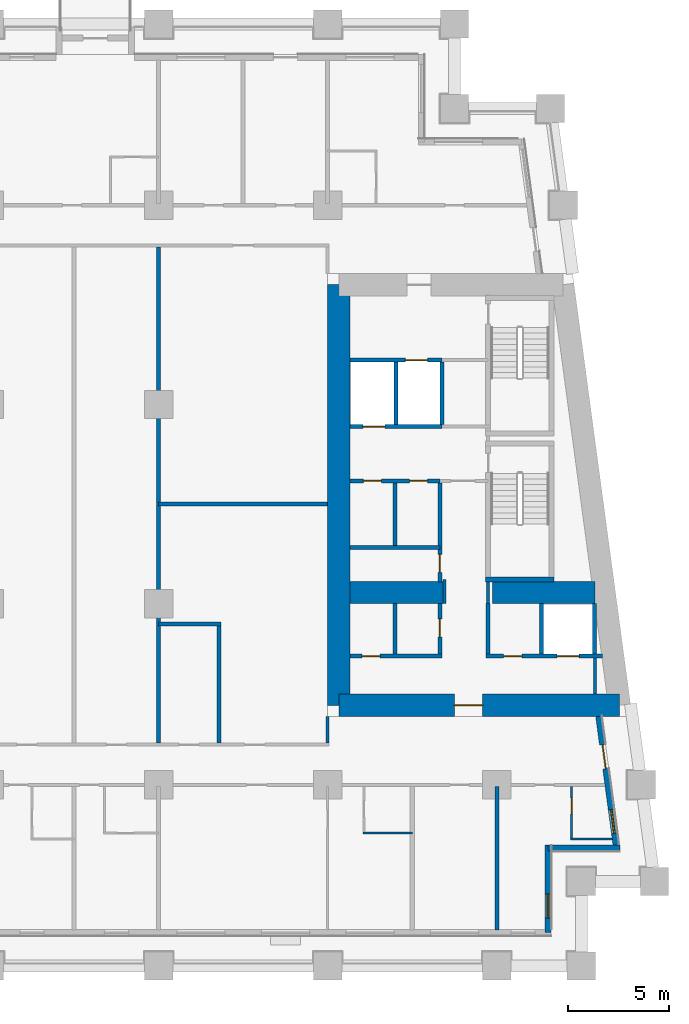
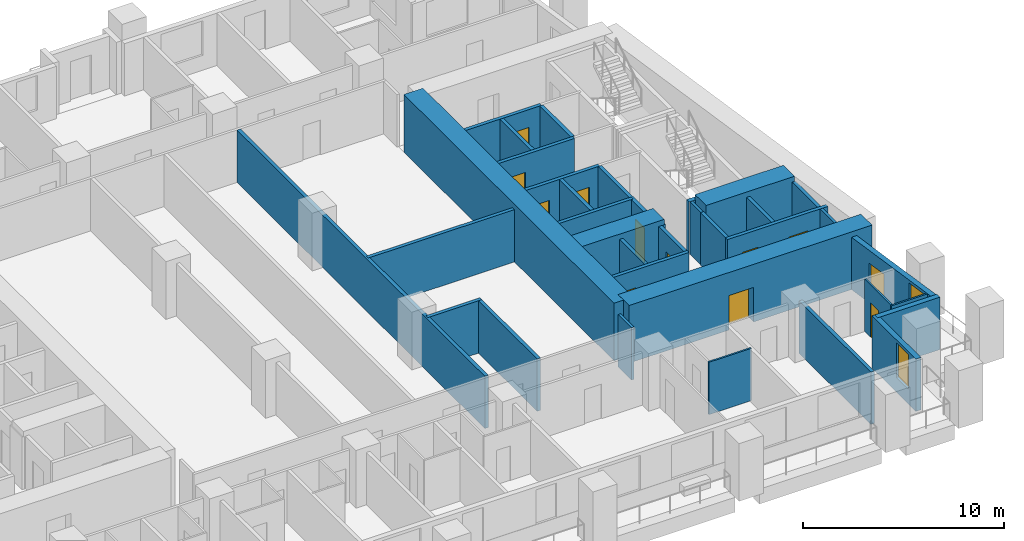
# One storey, part 5 of 13: 35 walls, 12 doors, 2 windows, 14 openings.
"""IFC4 building model written with IfcOpenShell, lengths in metres."""

from ifc_helpers import new_model, si_unit, direction, frame, frame_2d, origin, place, context, subcontext, project, spatial, rectangle, extrude, material, layer, layer_set, type_object, element, fill, save


model = new_model("IFC4")

# Units and contexts
model_context = context("Model", 3, precision=1e-05, world=origin(), true_north=direction((0.0, 1.0)))
body_context = subcontext(model_context, "Body", "Model", "MODEL_VIEW")
ifc_project = project(units=[si_unit("LENGTHUNIT", "METRE"), si_unit("AREAUNIT", "SQUARE_METRE"), si_unit("VOLUMEUNIT", "CUBIC_METRE"), si_unit("PLANEANGLEUNIT", "RADIAN"), si_unit("MASSUNIT", "GRAM", prefix="KILO")], contexts=[model_context])

# Site, building, storey
site_placement = place(None, origin())
site = spatial("IfcSite", under=ifc_project, at=site_placement, CompositionType="ELEMENT")
building_placement = place(site_placement, origin())
building = spatial("IfcBuilding", under=site, at=building_placement, Name="Candeia Pilgrim Tower and Theatre", CompositionType="ELEMENT")
storey_placement = place(building_placement, frame((0.0, 0.0, 70.5)))
storey = spatial("IfcBuildingStorey", under=building, at=storey_placement, Name="L15", CompositionType="ELEMENT", Elevation=70.5)

# Wall, opening, door
ifc_material_1 = material(Name="Concrete C80/95", Category="concrete")
ifc_layer_1 = layer(ifc_material_1, 1.10009765625)
ifc_layer_set_1 = layer_set([ifc_layer_1], Name="Core wall 1100 C80/95")
wall_type_1 = type_object("IfcWallType", Name="Core wall 1100 C80/95", PredefinedType="SHEAR", material=ifc_layer_set_1)
wall_1_placement = place(storey_placement, frame((140.501708984375, 110.949951171875, 0.0), z_axis=(0.0, 0.0, 1.0), x_axis=(-1.0, 0.0, 0.0)))
wall_1 = element("IfcWall", 1, at=wall_1_placement, inside=storey, type_object=wall_type_1, Name="Core wall E3", PredefinedType="SHEAR", context=body_context, shape_type="SweptSolid", body=[
    extrude(rectangle(XDim=13.95166015625, YDim=1.10009765625, at=frame_2d((6.975830078125, 0.0))), origin(), (0.0, 0.0, 1.0), 3.5),
])
opening_1_placement = place(wall_1_placement, frame((6.80419921875, 0.0, 0.0)))
opening_1 = element("IfcOpeningElement", 2, at=opening_1_placement, cuts=wall_1, Name="Opening L15-D056", PredefinedType="OPENING", context=body_context, shape_type="SweptSolid", body=[
    extrude(rectangle(XDim=1.39990234375, YDim=2.10009765625, at=frame_2d((0.699951171875, 1.050048828125))), frame((0.0, 0.56005859375, 0.0), z_axis=(0.0, -1.0, 0.0), x_axis=(1.0, 0.0, 0.0)), (0.0, 0.0, 1.0), 1.1201171875),
])
ifc_material_2 = material(Name="Steel fire door set", Category="steel")
door_type_1 = type_object("IfcDoorType", Name="D-1400-FD60", OperationType="NOTDEFINED", PredefinedType="DOOR", material=ifc_material_2)
door_1_placement = place(opening_1_placement, origin())
door_1 = element("IfcDoor", 3, at=door_1_placement, inside=storey, type_object=door_type_1, Name="Door L15-D056", OperationType="SINGLE_SWING_LEFT", OverallHeight=2.10009765625, OverallWidth=1.39990234375, PredefinedType="DOOR", context=body_context, shape_type="SweptSolid", body=[
    extrude(rectangle(XDim=1.39990234375, YDim=2.10009765625, at=frame_2d((0.699951171875, 1.050048828125))), frame((0.0, 0.02490234375, 0.0), z_axis=(0.0, -1.0, 0.0), x_axis=(1.0, 0.0, 0.0)), (0.0, 0.0, 1.0), 0.050048828125),
])
fill(opening_1, door_1)

# Walls
wall_2_placement = place(storey_placement, frame((126.550048828125, 110.949951171875, 0.0), z_axis=(0.0, 0.0, 1.0), x_axis=(0.0, 1.0, 0.0)))
element("IfcWall", 4, at=wall_2_placement, inside=storey, type_object=wall_type_1, Name="Core wall E4", PredefinedType="SHEAR", context=body_context, shape_type="SweptSolid", body=[
    extrude(rectangle(XDim=20.900146484375, YDim=1.10009765625, at=frame_2d((10.4501953125, 0.0))), origin(), (0.0, 0.0, 1.0), 3.5),
])
wall_3_placement = place(storey_placement, frame((127.10009765625, 116.550048828125, 0.0), z_axis=(0.0, 0.0, 1.0), x_axis=(1.0, 0.0, 0.0)))
element("IfcWall", 5, at=wall_3_placement, inside=storey, type_object=wall_type_1, Name="Core wall E5", PredefinedType="SHEAR", context=body_context, shape_type="SweptSolid", body=[
    extrude(rectangle(XDim=4.699951171875, YDim=1.10009765625, at=frame_2d((2.35009765625, 0.0))), origin(), (0.0, 0.0, 1.0), 3.5),
])
wall_4_placement = place(storey_placement, frame((134.199951171875, 116.550048828125, 0.0), z_axis=(0.0, 0.0, 1.0), x_axis=(1.0, 0.0, 0.0)))
element("IfcWall", 6, at=wall_4_placement, inside=storey, type_object=wall_type_1, Name="Core wall E6", PredefinedType="SHEAR", context=body_context, shape_type="SweptSolid", body=[
    extrude(rectangle(XDim=5.076904296875, YDim=1.10009765625, at=frame_2d((2.53857421875, 0.0))), origin(), (0.0, 0.0, 1.0), 3.5),
])

# Wall, opening, window
ifc_material_3 = material(Name="Ceramic block masonry", Category="masonry")
ifc_layer_2 = layer(ifc_material_3, 0.300048828125)
ifc_layer_set_2 = layer_set([ifc_layer_2], Name="EW1 glazing-line wall 300")
wall_type_2 = type_object("IfcWallType", Name="EW1 glazing-line wall 300", PredefinedType="SOLIDWALL", material=ifc_layer_set_2)
wall_5_placement = place(storey_placement, frame((136.949951171875, 99.64990234375, 0.0), z_axis=(0.0, 0.0, 1.0), x_axis=(0.0, 1.0, 0.0)))
wall_5 = element("IfcWall", 7, at=wall_5_placement, inside=storey, type_object=wall_type_2, Name="External wall L15-1.0", PredefinedType="SOLIDWALL", context=body_context, shape_type="SweptSolid", body=[
    extrude(rectangle(XDim=4.35009765625, YDim=0.300048828125, at=frame_2d((2.175048828125, 0.0))), origin(), (0.0, 0.0, 1.0), 3.179931640625),
])
opening_2_placement = place(wall_5_placement, frame((0.72509765625, 0.0, 0.89990234375)))
opening_2 = element("IfcOpeningElement", 8, at=opening_2_placement, cuts=wall_5, Name="Opening W-B", PredefinedType="OPENING", context=body_context, shape_type="SweptSolid", body=[
    extrude(rectangle(XDim=1.199951171875, YDim=2.10009765625, at=frame_2d((0.60009765625, 1.050048828125))), frame((0.0, 0.16015625, 0.0), z_axis=(0.0, -1.0, 0.0), x_axis=(1.0, 0.0, 0.0)), (0.0, 0.0, 1.0), 0.320068359375),
])
ifc_material_4 = material(Name="Aluminium framed double glazing", Category="aluminium")
window_type = type_object("IfcWindowType", Name="W-B window 1200x2100", PartitioningType="SINGLE_PANEL", PredefinedType="WINDOW", material=ifc_material_4)
window_1_placement = place(opening_2_placement, origin())
window_1 = element("IfcWindow", 9, at=window_1_placement, inside=storey, type_object=window_type, Name="Window W-B L15", OverallHeight=2.10009765625, OverallWidth=1.199951171875, PartitioningType="SINGLE_PANEL", PredefinedType="WINDOW", context=body_context, shape_type="SweptSolid", body=[
    extrude(rectangle(XDim=1.199951171875, YDim=2.10009765625, at=frame_2d((0.60009765625, 1.050048828125))), frame((0.0, 0.030029296875, 0.0), z_axis=(0.0, -1.0, 0.0), x_axis=(1.0, 0.0, 0.0)), (0.0, 0.0, 1.0), 0.06005859375),
])
fill(opening_2, window_1)

# Wall
wall_6_placement = place(storey_placement, frame((136.949951171875, 103.85009765625, 0.0), z_axis=(0.0, 0.0, 1.0), x_axis=(1.0, 0.0, 0.0)))
element("IfcWall", 10, at=wall_6_placement, inside=storey, type_object=wall_type_2, Name="External wall L15-2.0", PredefinedType="SOLIDWALL", context=body_context, shape_type="SweptSolid", body=[
    extrude(rectangle(XDim=3.569091796875, YDim=0.300048828125, at=frame_2d((1.78466796875, 0.0))), origin(), (0.0, 0.0, 1.0), 3.179931640625),
])

# Wall, openings, door, window
wall_7_placement = place(storey_placement, frame((140.34765625, 103.85009765625, 0.0), z_axis=(0.0, 0.0, 1.0), x_axis=(-0.133431549479, 0.991058031401, 0.0)))
wall_7 = element("IfcWall", 11, at=wall_7_placement, inside=storey, type_object=wall_type_2, Name="External wall L15-3.0", PredefinedType="SOLIDWALL", context=body_context, shape_type="SweptSolid", body=[
    extrude(rectangle(XDim=6.60888671875, YDim=0.300048828125, at=frame_2d((3.304443359375, 0.0))), origin(), (0.0, 0.0, 1.0), 3.179931640625),
])
opening_3_placement = place(wall_7_placement, frame((0.736572265625, 0.0, 0.89990234375)))
opening_3 = element("IfcOpeningElement", 12, at=opening_3_placement, cuts=wall_7, Name="Opening W-B", PredefinedType="OPENING", context=body_context, shape_type="SweptSolid", body=[
    extrude(rectangle(XDim=1.199951171875, YDim=2.10009765625, at=frame_2d((0.60009765625, 1.050048828125))), frame((0.0, 0.16015625, 0.0), z_axis=(0.0, -1.0, 0.0), x_axis=(1.0, 0.0, 0.0)), (0.0, 0.0, 1.0), 0.320068359375),
])
opening_4_placement = place(wall_7_placement, frame((3.990966796875, 0.0, 0.0)))
opening_4 = element("IfcOpeningElement", 13, at=opening_4_placement, cuts=wall_7, Name="Opening L15-ED167", PredefinedType="OPENING", context=body_context, shape_type="SweptSolid", body=[
    extrude(rectangle(XDim=1.199951171875, YDim=2.39990234375, at=frame_2d((0.60009765625, 1.199951171875))), frame((0.0, 0.16015625, 0.0), z_axis=(0.0, -1.0, 0.0), x_axis=(1.0, 0.0, 0.0)), (0.0, 0.0, 1.0), 0.320068359375),
])
ifc_material_5 = material(Name="Aluminium framed glazed door", Category="aluminium")
door_type_2 = type_object("IfcDoorType", Name="Loggia door 1200x2400", OperationType="DOUBLE_DOOR_SINGLE_SWING", PredefinedType="DOOR", material=ifc_material_5)
door_2_placement = place(opening_4_placement, origin())
door_2 = element("IfcDoor", 14, at=door_2_placement, inside=storey, type_object=door_type_2, Name="Loggia door L15-ED167", OperationType="DOUBLE_DOOR_SINGLE_SWING", OverallHeight=2.39990234375, OverallWidth=1.199951171875, PredefinedType="DOOR", context=body_context, shape_type="SweptSolid", body=[
    extrude(rectangle(XDim=1.199951171875, YDim=2.39990234375, at=frame_2d((0.60009765625, 1.199951171875))), frame((0.0, 0.02490234375, 0.0), z_axis=(0.0, -1.0, 0.0), x_axis=(1.0, 0.0, 0.0)), (0.0, 0.0, 1.0), 0.050048828125),
])
fill(opening_4, door_2)
window_2_placement = place(opening_3_placement, origin())
window_2 = element("IfcWindow", 15, at=window_2_placement, inside=storey, type_object=window_type, Name="Window W-B L15", OverallHeight=2.10009765625, OverallWidth=1.199951171875, PartitioningType="SINGLE_PANEL", PredefinedType="WINDOW", context=body_context, shape_type="SweptSolid", body=[
    extrude(rectangle(XDim=1.199951171875, YDim=2.10009765625, at=frame_2d((0.60009765625, 1.050048828125))), frame((0.0, 0.030029296875, 0.0), z_axis=(0.0, -1.0, 0.0), x_axis=(1.0, 0.0, 0.0)), (0.0, 0.0, 1.0), 0.06005859375),
])
fill(opening_3, window_2)

# Walls
ifc_material_6 = material(Name="Gypsum board partition on steel studs", Category="steel")
ifc_layer_3 = layer(ifc_material_6, 0.10009765625)
ifc_layer_set_3 = layer_set([ifc_layer_3], Name="PW-100 room partition")
wall_type_3 = type_object("IfcWallType", Name="PW-100 room partition", PredefinedType="PARTITIONING", material=ifc_layer_set_3)
wall_8_placement = place(storey_placement, frame((138.070068359375, 104.300048828125, 0.0), z_axis=(0.0, 0.0, 1.0), x_axis=(1.0, 0.0, 0.0)))
element("IfcWall", 16, at=wall_8_placement, inside=storey, type_object=wall_type_3, Name="Room partition L15-003", PredefinedType="PARTITIONING", context=body_context, shape_type="SweptSolid", body=[
    extrude(rectangle(XDim=2.07568359375, YDim=0.10009765625, at=frame_2d((1.037841796875, 0.0))), origin(), (0.0, 0.0, 1.0), 3.179931640625),
])
wall_9_placement = place(storey_placement, frame((127.75, 104.60009765625, 0.0), z_axis=(0.0, 0.0, 1.0), x_axis=(1.0, 0.0, 0.0)))
element("IfcWall", 17, at=wall_9_placement, inside=storey, type_object=wall_type_3, Name="Room partition L15-006", PredefinedType="PARTITIONING", context=body_context, shape_type="SweptSolid", body=[
    extrude(rectangle(XDim=2.449951171875, YDim=0.10009765625, at=frame_2d((1.22509765625, 0.0))), origin(), (0.0, 0.0, 1.0), 3.179931640625),
])

# Wall, opening, door
wall_10_placement = place(storey_placement, frame((138.1201171875, 104.35009765625, 0.0), z_axis=(0.0, 0.0, 1.0), x_axis=(0.0, 1.0, 0.0)))
wall_10 = element("IfcWall", 18, at=wall_10_placement, inside=storey, type_object=wall_type_3, Name="Room partition L15-111", PredefinedType="PARTITIONING", context=body_context, shape_type="SweptSolid", body=[
    extrude(rectangle(XDim=2.574951171875, YDim=0.10009765625, at=frame_2d((1.28759765625, 0.0))), origin(), (0.0, 0.0, 1.0), 3.179931640625),
])
opening_5_placement = place(wall_10_placement, frame((1.199951171875, 0.0, 0.0)))
opening_5 = element("IfcOpeningElement", 19, at=opening_5_placement, cuts=wall_10, Name="Opening L15-D036", PredefinedType="OPENING", context=body_context, shape_type="SweptSolid", body=[
    extrude(rectangle(XDim=0.800048828125, YDim=2.10009765625, at=frame_2d((0.39990234375, 1.050048828125))), frame((0.0, 0.06005859375, 0.0), z_axis=(0.0, -1.0, 0.0), x_axis=(1.0, 0.0, 0.0)), (0.0, 0.0, 1.0), 0.1201171875),
])
ifc_material_7 = material(Name="Timber door leaf", Category="wood")
door_type_3 = type_object("IfcDoorType", Name="D-800", OperationType="NOTDEFINED", PredefinedType="DOOR", material=ifc_material_7)
door_3_placement = place(opening_5_placement, origin())
door_3 = element("IfcDoor", 20, at=door_3_placement, inside=storey, type_object=door_type_3, Name="Door L15-D036", OperationType="SINGLE_SWING_LEFT", OverallHeight=2.10009765625, OverallWidth=0.800048828125, PredefinedType="DOOR", context=body_context, shape_type="SweptSolid", body=[
    extrude(rectangle(XDim=0.800048828125, YDim=2.10009765625, at=frame_2d((0.39990234375, 1.050048828125))), frame((0.0, 0.02490234375, 0.0), z_axis=(0.0, -1.0, 0.0), x_axis=(1.0, 0.0, 0.0)), (0.0, 0.0, 1.0), 0.050048828125),
])
fill(opening_5, door_3)

# Walls
ifc_layer_4 = layer(ifc_material_6, 0.14990234375)
ifc_layer_set_4 = layer_set([ifc_layer_4], Name="PW-150 lobby wall")
wall_type_4 = type_object("IfcWallType", Name="PW-150 lobby wall", PredefinedType="PARTITIONING", material=ifc_layer_set_4)
wall_11_placement = place(storey_placement, frame((131.800048828125, 116.0, 0.0), z_axis=(0.0, 0.0, 1.0), x_axis=(0.0, 1.0, 0.0)))
element("IfcWall", 21, at=wall_11_placement, inside=storey, type_object=wall_type_4, Name="Lobby wall L15-101", PredefinedType="PARTITIONING", context=body_context, shape_type="SweptSolid", body=[
    extrude(rectangle(XDim=1.199951171875, YDim=0.14990234375, at=frame_2d((0.60009765625, 0.0))), origin(), (0.0, 0.0, 1.0), 3.179931640625),
])
wall_12_placement = place(storey_placement, frame((133.972900390625, 116.0, 0.0), z_axis=(0.0, 0.0, 1.0), x_axis=(0.0, 1.0, 0.0)))
element("IfcWall", 22, at=wall_12_placement, inside=storey, type_object=wall_type_4, Name="Lobby wall L15-103", PredefinedType="PARTITIONING", context=body_context, shape_type="SweptSolid", body=[
    extrude(rectangle(XDim=1.070068359375, YDim=0.14990234375, at=frame_2d((0.53515625, 0.0))), origin(), (0.0, 0.0, 1.0), 3.179931640625),
])
wall_13_placement = place(storey_placement, frame((139.27001953125, 111.5, 0.0), z_axis=(0.0, 0.0, 1.0), x_axis=(0.0, 1.0, 0.0)))
element("IfcWall", 23, at=wall_13_placement, inside=storey, type_object=wall_type_4, Name="Lobby wall L15-113", PredefinedType="PARTITIONING", context=body_context, shape_type="SweptSolid", body=[
    extrude(rectangle(XDim=1.800048828125, YDim=0.14990234375, at=frame_2d((0.89990234375, 0.0))), origin(), (0.0, 0.0, 1.0), 3.179931640625),
])
ifc_layer_5 = layer(ifc_material_6, 0.14990234375)
ifc_layer_set_5 = layer_set([ifc_layer_5], Name="PW-150 unit wall")
wall_type_5 = type_object("IfcWallType", Name="PW-150 unit wall", PredefinedType="PARTITIONING", material=ifc_layer_set_5)
wall_14_placement = place(storey_placement, frame((126.0, 109.074951171875, 0.0), z_axis=(0.0, 0.0, 1.0), x_axis=(0.0, 1.0, 0.0)))
element("IfcWall", 24, at=wall_14_placement, inside=storey, type_object=wall_type_5, Name="Unit wall L15-090", PredefinedType="PARTITIONING", context=body_context, shape_type="SweptSolid", body=[
    extrude(rectangle(XDim=1.324951171875, YDim=0.14990234375, at=frame_2d((0.66259765625, 0.0))), origin(), (0.0, 0.0, 1.0), 3.179931640625),
])
ifc_layer_6 = layer(ifc_material_6, 0.199951171875)
ifc_layer_set_6 = layer_set([ifc_layer_6], Name="PW-200 party wall")
wall_type_6 = type_object("IfcWallType", Name="PW-200 party wall", PredefinedType="PARTITIONING", material=ifc_layer_set_6)
wall_15_placement = place(storey_placement, frame((117.60009765625, 115.0, 0.0), z_axis=(0.0, 0.0, 1.0), x_axis=(1.0, 0.0, 0.0)))
element("IfcWall", 25, at=wall_15_placement, inside=storey, type_object=wall_type_6, Name="Party wall L15-015", PredefinedType="PARTITIONING", context=body_context, shape_type="SweptSolid", body=[
    extrude(rectangle(XDim=3.099853515625, YDim=0.199951171875, at=frame_2d((1.5498046875, 0.0))), origin(), (0.0, 0.0, 1.0), 3.179931640625),
])
wall_16_placement = place(storey_placement, frame((117.60009765625, 120.949951171875, 0.0), z_axis=(0.0, 0.0, 1.0), x_axis=(1.0, 0.0, 0.0)))
element("IfcWall", 26, at=wall_16_placement, inside=storey, type_object=wall_type_6, Name="Party wall L15-020", PredefinedType="PARTITIONING", context=body_context, shape_type="SweptSolid", body=[
    extrude(rectangle(XDim=8.39990234375, YDim=0.199951171875, at=frame_2d((4.199951171875, 0.0))), origin(), (0.0, 0.0, 1.0), 3.179931640625),
])
wall_17_placement = place(storey_placement, frame((117.60009765625, 109.074951171875, 0.0), z_axis=(0.0, 0.0, 1.0), x_axis=(0.0, 1.0, 0.0)))
element("IfcWall", 27, at=wall_17_placement, inside=storey, type_object=wall_type_6, Name="Party wall L15-084", PredefinedType="PARTITIONING", context=body_context, shape_type="SweptSolid", body=[
    extrude(rectangle(XDim=24.650146484375, YDim=0.199951171875, at=frame_2d((12.3251953125, 0.0))), origin(), (0.0, 0.0, 1.0), 3.179931640625),
])
wall_18_placement = place(storey_placement, frame((120.60009765625, 109.074951171875, 0.0), z_axis=(0.0, 0.0, 1.0), x_axis=(0.0, 1.0, 0.0)))
element("IfcWall", 28, at=wall_18_placement, inside=storey, type_object=wall_type_6, Name="Party wall L15-086", PredefinedType="PARTITIONING", context=body_context, shape_type="SweptSolid", body=[
    extrude(rectangle(XDim=5.824951171875, YDim=0.199951171875, at=frame_2d((2.91259765625, 0.0))), origin(), (0.0, 0.0, 1.0), 3.179931640625),
])
wall_19_placement = place(storey_placement, frame((134.39990234375, 99.7900390625, 0.0), z_axis=(0.0, 0.0, 1.0), x_axis=(0.0, 1.0, 0.0)))
element("IfcWall", 29, at=wall_19_placement, inside=storey, type_object=wall_type_6, Name="Party wall L15-107", PredefinedType="PARTITIONING", context=body_context, shape_type="SweptSolid", body=[
    extrude(rectangle(XDim=7.135009765625, YDim=0.199951171875, at=frame_2d((3.5673828125, 0.0))), origin(), (0.0, 0.0, 1.0), 3.179931640625),
])

# Wall, opening, door
ifc_material_8 = material(Name="Concrete C40/50", Category="concrete")
ifc_layer_7 = layer(ifc_material_8, 0.199951171875)
ifc_layer_set_7 = layer_set([ifc_layer_7], Name="SW-200 shaft wall")
wall_type_7 = type_object("IfcWallType", Name="SW-200 shaft wall", PredefinedType="PARTITIONING", material=ifc_layer_set_7)
wall_20_placement = place(storey_placement, frame((127.10009765625, 113.39990234375, 0.0), z_axis=(0.0, 0.0, 1.0), x_axis=(1.0, 0.0, 0.0)))
wall_20 = element("IfcWall", 30, at=wall_20_placement, inside=storey, type_object=wall_type_7, Name="Shaft wall L15-013", PredefinedType="PARTITIONING", context=body_context, shape_type="SweptSolid", body=[
    extrude(rectangle(XDim=4.572998046875, YDim=0.199951171875, at=frame_2d((2.28662109375, 0.0))), origin(), (0.0, 0.0, 1.0), 3.179931640625),
])
opening_6_placement = place(wall_20_placement, frame((0.60498046875, 0.0, 0.0)))
opening_6 = element("IfcOpeningElement", 31, at=opening_6_placement, cuts=wall_20, Name="Opening L15-D016", PredefinedType="OPENING", context=body_context, shape_type="SweptSolid", body=[
    extrude(rectangle(XDim=0.89990234375, YDim=2.10009765625, at=frame_2d((0.449951171875, 1.050048828125))), frame((0.0, 0.10986328125, 0.0), z_axis=(0.0, -1.0, 0.0), x_axis=(1.0, 0.0, 0.0)), (0.0, 0.0, 1.0), 0.219970703125),
])
door_type_4 = type_object("IfcDoorType", Name="D-900-FD60", OperationType="NOTDEFINED", PredefinedType="DOOR", material=ifc_material_2)
door_4_placement = place(opening_6_placement, origin())
door_4 = element("IfcDoor", 32, at=door_4_placement, inside=storey, type_object=door_type_4, Name="Door L15-D016", OperationType="SINGLE_SWING_LEFT", OverallHeight=2.10009765625, OverallWidth=0.89990234375, PredefinedType="DOOR", context=body_context, shape_type="SweptSolid", body=[
    extrude(rectangle(XDim=0.89990234375, YDim=2.10009765625, at=frame_2d((0.449951171875, 1.050048828125))), frame((0.0, 0.02490234375, 0.0), z_axis=(0.0, -1.0, 0.0), x_axis=(1.0, 0.0, 0.0)), (0.0, 0.0, 1.0), 0.050048828125),
])
fill(opening_6, door_4)

# Wall, openings, doors
wall_21_placement = place(storey_placement, frame((133.873046875, 113.39990234375, 0.0), z_axis=(0.0, 0.0, 1.0), x_axis=(1.0, 0.0, 0.0)))
wall_21 = element("IfcWall", 33, at=wall_21_placement, inside=storey, type_object=wall_type_7, Name="Shaft wall L15-014", PredefinedType="PARTITIONING", context=body_context, shape_type="SweptSolid", body=[
    extrude(rectangle(XDim=5.77392578125, YDim=0.199951171875, at=frame_2d((2.886962890625, 0.0))), origin(), (0.0, 0.0, 1.0), 3.179931640625),
])
opening_7_placement = place(wall_21_placement, frame((3.52294921875, 0.0, 0.0)))
opening_7 = element("IfcOpeningElement", 34, at=opening_7_placement, cuts=wall_21, Name="Opening L15-LD08", PredefinedType="OPENING", context=body_context, shape_type="SweptSolid", body=[
    extrude(rectangle(XDim=1.10009765625, YDim=2.10009765625, at=frame_2d((0.550048828125, 1.050048828125))), frame((0.0, 0.10986328125, 0.0), z_axis=(0.0, -1.0, 0.0), x_axis=(1.0, 0.0, 0.0)), (0.0, 0.0, 1.0), 0.219970703125),
])
opening_8_placement = place(wall_21_placement, frame((0.868896484375, 0.0, 0.0)))
opening_8 = element("IfcOpeningElement", 35, at=opening_8_placement, cuts=wall_21, Name="Opening L15-D014", PredefinedType="OPENING", context=body_context, shape_type="SweptSolid", body=[
    extrude(rectangle(XDim=0.89990234375, YDim=2.10009765625, at=frame_2d((0.449951171875, 1.050048828125))), frame((0.0, 0.10986328125, 0.0), z_axis=(0.0, -1.0, 0.0), x_axis=(1.0, 0.0, 0.0)), (0.0, 0.0, 1.0), 0.219970703125),
])
door_5_placement = place(opening_8_placement, origin())
door_5 = element("IfcDoor", 36, at=door_5_placement, inside=storey, type_object=door_type_4, Name="Door L15-D014", OperationType="SINGLE_SWING_LEFT", OverallHeight=2.10009765625, OverallWidth=0.89990234375, PredefinedType="DOOR", context=body_context, shape_type="SweptSolid", body=[
    extrude(rectangle(XDim=0.89990234375, YDim=2.10009765625, at=frame_2d((0.449951171875, 1.050048828125))), frame((0.0, 0.02490234375, 0.0), z_axis=(0.0, -1.0, 0.0), x_axis=(1.0, 0.0, 0.0)), (0.0, 0.0, 1.0), 0.050048828125),
])
fill(opening_8, door_5)
ifc_material_9 = material(Name="Glazed aluminium landing door", Category="aluminium")
door_type_5 = type_object("IfcDoorType", Name="LD-1100-EI120", OperationType="SLIDING_TO_LEFT", PredefinedType="DOOR", material=ifc_material_9)
door_6_placement = place(opening_7_placement, origin())
door_6 = element("IfcDoor", 37, at=door_6_placement, inside=storey, type_object=door_type_5, Name="Landing door 08 L15", OperationType="SLIDING_TO_LEFT", OverallHeight=2.10009765625, OverallWidth=1.10009765625, PredefinedType="DOOR", context=body_context, shape_type="SweptSolid", body=[
    extrude(rectangle(XDim=1.10009765625, YDim=2.10009765625, at=frame_2d((0.550048828125, 1.050048828125))), frame((0.0, 0.02490234375, 0.0), z_axis=(0.0, -1.0, 0.0), x_axis=(1.0, 0.0, 0.0)), (0.0, 0.0, 1.0), 0.050048828125),
])
fill(opening_7, door_6)

# Wall
wall_22_placement = place(storey_placement, frame((127.10009765625, 118.800048828125, 0.0), z_axis=(0.0, 0.0, 1.0), x_axis=(1.0, 0.0, 0.0)))
element("IfcWall", 38, at=wall_22_placement, inside=storey, type_object=wall_type_7, Name="Shaft wall L15-019", PredefinedType="PARTITIONING", context=body_context, shape_type="SweptSolid", body=[
    extrude(rectangle(XDim=4.472900390625, YDim=0.199951171875, at=frame_2d((2.236328125, 0.0))), origin(), (0.0, 0.0, 1.0), 3.179931640625),
])

# Wall, openings, doors
wall_23_placement = place(storey_placement, frame((127.10009765625, 122.10009765625, 0.0), z_axis=(0.0, 0.0, 1.0), x_axis=(1.0, 0.0, 0.0)))
wall_23 = element("IfcWall", 39, at=wall_23_placement, inside=storey, type_object=wall_type_7, Name="Shaft wall L15-022", PredefinedType="PARTITIONING", context=body_context, shape_type="SweptSolid", body=[
    extrude(rectangle(XDim=4.472900390625, YDim=0.199951171875, at=frame_2d((2.236328125, 0.0))), origin(), (0.0, 0.0, 1.0), 3.179931640625),
])
opening_9_placement = place(wall_23_placement, frame((2.968017578125, 0.0, 0.0)))
opening_9 = element("IfcOpeningElement", 40, at=opening_9_placement, cuts=wall_23, Name="Opening L15-D009", PredefinedType="OPENING", context=body_context, shape_type="SweptSolid", body=[
    extrude(rectangle(XDim=0.89990234375, YDim=2.10009765625, at=frame_2d((0.449951171875, 1.050048828125))), frame((0.0, 0.10986328125, 0.0), z_axis=(0.0, -1.0, 0.0), x_axis=(1.0, 0.0, 0.0)), (0.0, 0.0, 1.0), 0.219970703125),
])
opening_10_placement = place(wall_23_placement, frame((0.66796875, 0.0, 0.0)))
opening_10 = element("IfcOpeningElement", 41, at=opening_10_placement, cuts=wall_23, Name="Opening L15-D010", PredefinedType="OPENING", context=body_context, shape_type="SweptSolid", body=[
    extrude(rectangle(XDim=0.89990234375, YDim=2.10009765625, at=frame_2d((0.449951171875, 1.050048828125))), frame((0.0, 0.10986328125, 0.0), z_axis=(0.0, -1.0, 0.0), x_axis=(1.0, 0.0, 0.0)), (0.0, 0.0, 1.0), 0.219970703125),
])
door_7_placement = place(opening_9_placement, origin())
door_7 = element("IfcDoor", 42, at=door_7_placement, inside=storey, type_object=door_type_4, Name="Door L15-D009", OperationType="SINGLE_SWING_LEFT", OverallHeight=2.10009765625, OverallWidth=0.89990234375, PredefinedType="DOOR", context=body_context, shape_type="SweptSolid", body=[
    extrude(rectangle(XDim=0.89990234375, YDim=2.10009765625, at=frame_2d((0.449951171875, 1.050048828125))), frame((0.0, 0.02490234375, 0.0), z_axis=(0.0, -1.0, 0.0), x_axis=(1.0, 0.0, 0.0)), (0.0, 0.0, 1.0), 0.050048828125),
])
fill(opening_9, door_7)
door_8_placement = place(opening_10_placement, origin())
door_8 = element("IfcDoor", 43, at=door_8_placement, inside=storey, type_object=door_type_4, Name="Door L15-D010", OperationType="SINGLE_SWING_RIGHT", OverallHeight=2.10009765625, OverallWidth=0.89990234375, PredefinedType="DOOR", context=body_context, shape_type="SweptSolid", body=[
    extrude(rectangle(XDim=0.89990234375, YDim=2.10009765625, at=frame_2d((0.449951171875, 1.050048828125))), frame((0.0, 0.02490234375, 0.0), z_axis=(0.0, -1.0, 0.0), x_axis=(1.0, 0.0, 0.0)), (0.0, 0.0, 1.0), 0.050048828125),
])
fill(opening_10, door_8)

# Wall, opening, door
wall_24_placement = place(storey_placement, frame((127.10009765625, 124.800048828125, 0.0), z_axis=(0.0, 0.0, 1.0), x_axis=(1.0, 0.0, 0.0)))
wall_24 = element("IfcWall", 44, at=wall_24_placement, inside=storey, type_object=wall_type_7, Name="Shaft wall L15-030", PredefinedType="PARTITIONING", context=body_context, shape_type="SweptSolid", body=[
    extrude(rectangle(XDim=4.581787109375, YDim=0.199951171875, at=frame_2d((2.291015625, 0.0))), origin(), (0.0, 0.0, 1.0), 3.179931640625),
])
opening_11_placement = place(wall_24_placement, frame((0.64501953125, 0.0, 0.0)))
opening_11 = element("IfcOpeningElement", 45, at=opening_11_placement, cuts=wall_24, Name="Opening L15-LD07", PredefinedType="OPENING", context=body_context, shape_type="SweptSolid", body=[
    extrude(rectangle(XDim=1.10009765625, YDim=2.10009765625, at=frame_2d((0.550048828125, 1.050048828125))), frame((0.0, 0.10986328125, 0.0), z_axis=(0.0, -1.0, 0.0), x_axis=(1.0, 0.0, 0.0)), (0.0, 0.0, 1.0), 0.219970703125),
])
door_9_placement = place(opening_11_placement, origin())
door_9 = element("IfcDoor", 46, at=door_9_placement, inside=storey, type_object=door_type_5, Name="Landing door 07 L15", OperationType="SLIDING_TO_LEFT", OverallHeight=2.10009765625, OverallWidth=1.10009765625, PredefinedType="DOOR", context=body_context, shape_type="SweptSolid", body=[
    extrude(rectangle(XDim=1.10009765625, YDim=2.10009765625, at=frame_2d((0.550048828125, 1.050048828125))), frame((0.0, 0.02490234375, 0.0), z_axis=(0.0, -1.0, 0.0), x_axis=(1.0, 0.0, 0.0)), (0.0, 0.0, 1.0), 0.050048828125),
])
fill(opening_11, door_9)

wall_25_placement = place(storey_placement, frame((127.10009765625, 128.10009765625, 0.0), z_axis=(0.0, 0.0, 1.0), x_axis=(1.0, 0.0, 0.0)))
wall_25 = element("IfcWall", 47, at=wall_25_placement, inside=storey, type_object=wall_type_7, Name="Shaft wall L15-033", PredefinedType="PARTITIONING", context=body_context, shape_type="SweptSolid", body=[
    extrude(rectangle(XDim=4.581787109375, YDim=0.199951171875, at=frame_2d((2.291015625, 0.0))), origin(), (0.0, 0.0, 1.0), 3.179931640625),
])
opening_12_placement = place(wall_25_placement, frame((2.763916015625, 0.0, 0.0)))
opening_12 = element("IfcOpeningElement", 48, at=opening_12_placement, cuts=wall_25, Name="Opening L15-LD06", PredefinedType="OPENING", context=body_context, shape_type="SweptSolid", body=[
    extrude(rectangle(XDim=1.10009765625, YDim=2.10009765625, at=frame_2d((0.550048828125, 1.050048828125))), frame((0.0, 0.10986328125, 0.0), z_axis=(0.0, -1.0, 0.0), x_axis=(1.0, 0.0, 0.0)), (0.0, 0.0, 1.0), 0.219970703125),
])
door_10_placement = place(opening_12_placement, origin())
door_10 = element("IfcDoor", 49, at=door_10_placement, inside=storey, type_object=door_type_5, Name="Landing door 06 L15", OperationType="SLIDING_TO_LEFT", OverallHeight=2.10009765625, OverallWidth=1.10009765625, PredefinedType="DOOR", context=body_context, shape_type="SweptSolid", body=[
    extrude(rectangle(XDim=1.10009765625, YDim=2.10009765625, at=frame_2d((0.550048828125, 1.050048828125))), frame((0.0, 0.02490234375, 0.0), z_axis=(0.0, -1.0, 0.0), x_axis=(1.0, 0.0, 0.0)), (0.0, 0.0, 1.0), 0.050048828125),
])
fill(opening_12, door_10)

# Walls
wall_26_placement = place(storey_placement, frame((129.33642578125, 113.5, 0.0), z_axis=(0.0, 0.0, 1.0), x_axis=(0.0, 1.0, 0.0)))
element("IfcWall", 50, at=wall_26_placement, inside=storey, type_object=wall_type_7, Name="Shaft wall L15-094", PredefinedType="PARTITIONING", context=body_context, shape_type="SweptSolid", body=[
    extrude(rectangle(XDim=2.5, YDim=0.199951171875, at=frame_2d((1.25, 0.0))), origin(), (0.0, 0.0, 1.0), 3.179931640625),
])
for number, where, z_axis, x_axis, name in (
    (51, (129.33642578125, 118.89990234375, 0.0), (0.0, 0.0, 1.0), (0.0, 1.0, 0.0), "Shaft wall L15-095"),
    (52, (129.39111328125, 124.89990234375, 0.0), (0.0, 0.0, 1.0), (0.0, 1.0, 0.0), "Shaft wall L15-096"),
):
    element("IfcWall", number, at=place(storey_placement, frame(where, z_axis=z_axis, x_axis=x_axis)), inside=storey, type_object=wall_type_7, Name=name, PredefinedType="PARTITIONING", context=body_context, shape_type="SweptSolid", body=[
        extrude(rectangle(XDim=3.10009765625, YDim=0.199951171875, at=frame_2d((1.550048828125, 0.0))), origin(), (0.0, 0.0, 1.0), 3.179931640625),
    ])

# Wall, opening, door
wall_27_placement = place(storey_placement, frame((131.572998046875, 113.5, 0.0), z_axis=(0.0, 0.0, 1.0), x_axis=(0.0, 1.0, 0.0)))
wall_27 = element("IfcWall", 53, at=wall_27_placement, inside=storey, type_object=wall_type_7, Name="Shaft wall L15-098", PredefinedType="PARTITIONING", context=body_context, shape_type="SweptSolid", body=[
    extrude(rectangle(XDim=2.5, YDim=0.199951171875, at=frame_2d((1.25, 0.0))), origin(), (0.0, 0.0, 1.0), 3.179931640625),
])
opening_13_placement = place(wall_27_placement, frame((0.85009765625, 0.0, 0.0)))
opening_13 = element("IfcOpeningElement", 54, at=opening_13_placement, cuts=wall_27, Name="Opening L15-D015", PredefinedType="OPENING", context=body_context, shape_type="SweptSolid", body=[
    extrude(rectangle(XDim=0.89990234375, YDim=2.10009765625, at=frame_2d((0.449951171875, 1.050048828125))), frame((0.0, 0.10986328125, 0.0), z_axis=(0.0, -1.0, 0.0), x_axis=(1.0, 0.0, 0.0)), (0.0, 0.0, 1.0), 0.219970703125),
])
door_11_placement = place(opening_13_placement, origin())
door_11 = element("IfcDoor", 55, at=door_11_placement, inside=storey, type_object=door_type_4, Name="Door L15-D015", OperationType="SINGLE_SWING_RIGHT", OverallHeight=2.10009765625, OverallWidth=0.89990234375, PredefinedType="DOOR", context=body_context, shape_type="SweptSolid", body=[
    extrude(rectangle(XDim=0.89990234375, YDim=2.10009765625, at=frame_2d((0.449951171875, 1.050048828125))), frame((0.0, 0.02490234375, 0.0), z_axis=(0.0, -1.0, 0.0), x_axis=(1.0, 0.0, 0.0)), (0.0, 0.0, 1.0), 0.050048828125),
])
fill(opening_13, door_11)

wall_28_placement = place(storey_placement, frame((131.572998046875, 117.070068359375, 0.0), z_axis=(0.0, 0.0, 1.0), x_axis=(0.0, 1.0, 0.0)))
wall_28 = element("IfcWall", 56, at=wall_28_placement, inside=storey, type_object=wall_type_7, Name="Shaft wall L15-099", PredefinedType="PARTITIONING", context=body_context, shape_type="SweptSolid", body=[
    extrude(rectangle(XDim=4.929931640625, YDim=0.199951171875, at=frame_2d((2.46484375, 0.0))), origin(), (0.0, 0.0, 1.0), 3.179931640625),
])
opening_14_placement = place(wall_28_placement, frame((0.47998046875, 0.0, 0.0)))
opening_14 = element("IfcOpeningElement", 57, at=opening_14_placement, cuts=wall_28, Name="Opening L15-D013", PredefinedType="OPENING", context=body_context, shape_type="SweptSolid", body=[
    extrude(rectangle(XDim=0.89990234375, YDim=2.10009765625, at=frame_2d((0.449951171875, 1.050048828125))), frame((0.0, 0.10986328125, 0.0), z_axis=(0.0, -1.0, 0.0), x_axis=(1.0, 0.0, 0.0)), (0.0, 0.0, 1.0), 0.219970703125),
])
door_12_placement = place(opening_14_placement, origin())
door_12 = element("IfcDoor", 58, at=door_12_placement, inside=storey, type_object=door_type_4, Name="Door L15-D013", OperationType="SINGLE_SWING_LEFT", OverallHeight=2.10009765625, OverallWidth=0.89990234375, PredefinedType="DOOR", context=body_context, shape_type="SweptSolid", body=[
    extrude(rectangle(XDim=0.89990234375, YDim=2.10009765625, at=frame_2d((0.449951171875, 1.050048828125))), frame((0.0, 0.02490234375, 0.0), z_axis=(0.0, -1.0, 0.0), x_axis=(1.0, 0.0, 0.0)), (0.0, 0.0, 1.0), 0.050048828125),
])
fill(opening_14, door_12)

# Walls
wall_29_placement = place(storey_placement, frame((131.681884765625, 124.89990234375, 0.0), z_axis=(0.0, 0.0, 1.0), x_axis=(0.0, 1.0, 0.0)))
element("IfcWall", 59, at=wall_29_placement, inside=storey, type_object=wall_type_7, Name="Shaft wall L15-100", PredefinedType="PARTITIONING", context=body_context, shape_type="SweptSolid", body=[
    extrude(rectangle(XDim=3.10009765625, YDim=0.199951171875, at=frame_2d((1.550048828125, 0.0))), origin(), (0.0, 0.0, 1.0), 3.179931640625),
])
for number, where, z_axis, x_axis, name in (
    (60, (133.972900390625, 113.5, 0.0), (0.0, 0.0, 1.0), (0.0, 1.0, 0.0), "Shaft wall L15-102"),
    (61, (136.62158203125, 113.5, 0.0), (0.0, 0.0, 1.0), (0.0, 1.0, 0.0), "Shaft wall L15-108"),
    (62, (139.247802734375, 113.5, 0.0), (0.0, 0.0, 1.0), (0.0, 1.0, 0.0), "Shaft wall L15-112"),
):
    element("IfcWall", number, at=place(storey_placement, frame(where, z_axis=z_axis, x_axis=x_axis)), inside=storey, type_object=wall_type_7, Name=name, PredefinedType="PARTITIONING", context=body_context, shape_type="SweptSolid", body=[
        extrude(rectangle(XDim=2.5, YDim=0.199951171875, at=frame_2d((1.25, 0.0))), origin(), (0.0, 0.0, 1.0), 3.179931640625),
    ])
ifc_layer_8 = layer(ifc_material_8, 0.25)
ifc_layer_set_8 = layer_set([ifc_layer_8], Name="SW-250 stair wall")
wall_type_8 = type_object("IfcWallType", Name="SW-250 stair wall", PredefinedType="PARTITIONING", material=ifc_layer_set_8)
wall_30_placement = place(storey_placement, frame((133.847900390625, 117.199951171875, 0.0), z_axis=(0.0, 0.0, 1.0), x_axis=(1.0, 0.0, 0.0)))
element("IfcWall", 63, at=wall_30_placement, inside=storey, type_object=wall_type_8, Name="Stair wall L15-017", PredefinedType="PARTITIONING", context=body_context, shape_type="SweptSolid", body=[
    extrude(rectangle(XDim=3.400146484375, YDim=0.25, at=frame_2d((1.7001953125, 0.0))), origin(), (0.0, 0.0, 1.0), 3.179931640625),
])

save(model, "model.ifc")
